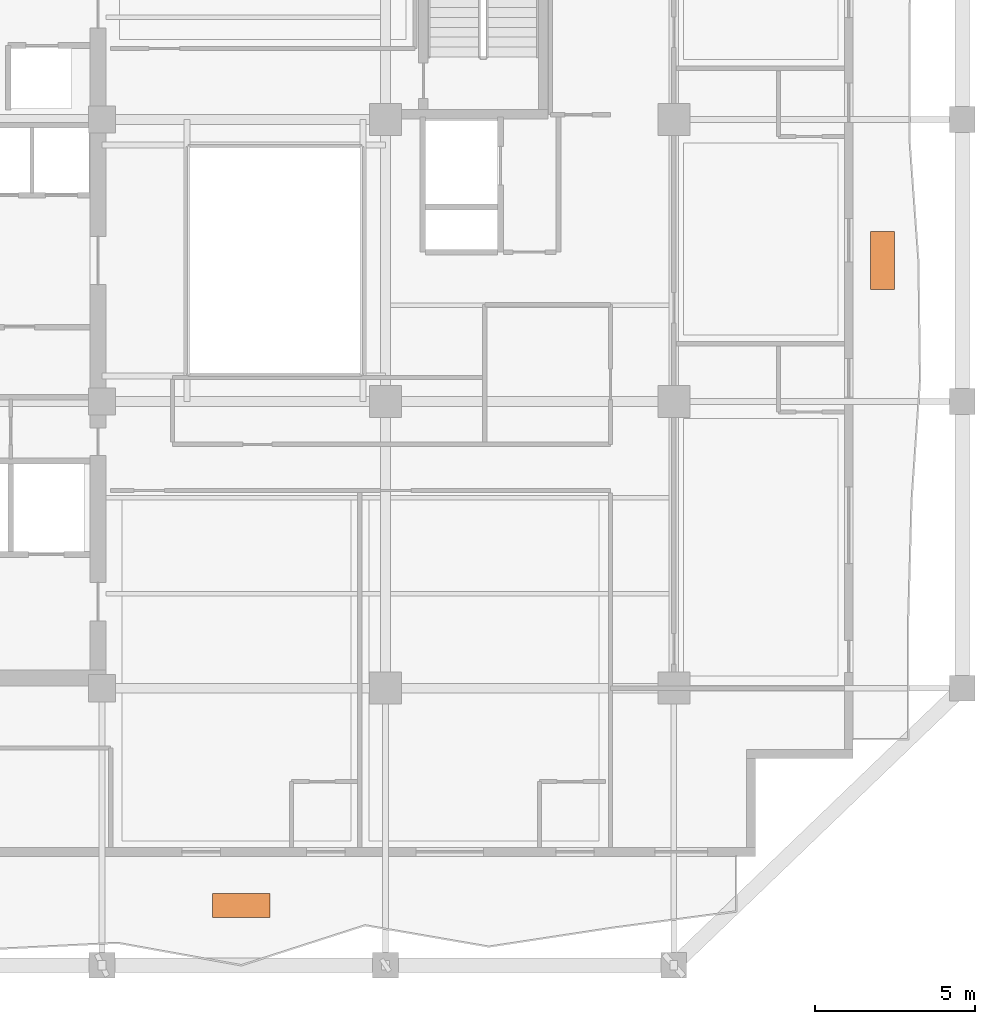
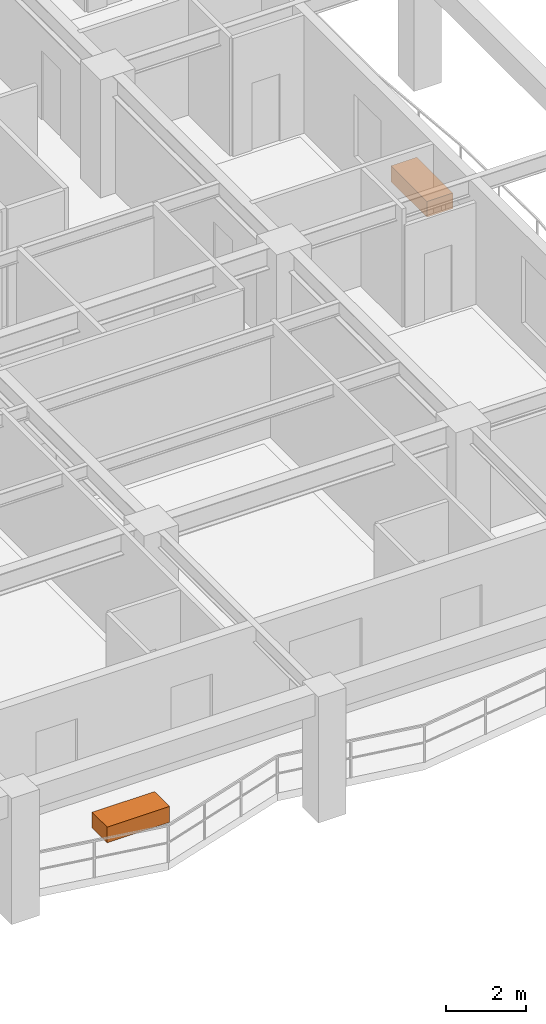
# One storey, part 11 of 11: 2 proxies.
"""IFC4 building model written with IfcOpenShell, lengths in metres."""

from ifc_helpers import new_model, si_unit, direction, frame, origin, origin_2d, place, context, subcontext, project, spatial, rectangle, extrude, material, type_object, element, save


model = new_model("IFC4")

# Units and contexts
model_context = context("Model", 3, precision=1e-05, world=origin(), true_north=direction((0.0, 1.0)))
body_context = subcontext(model_context, "Body", "Model", "MODEL_VIEW")
ifc_project = project(units=[si_unit("LENGTHUNIT", "METRE"), si_unit("AREAUNIT", "SQUARE_METRE"), si_unit("VOLUMEUNIT", "CUBIC_METRE"), si_unit("PLANEANGLEUNIT", "RADIAN"), si_unit("MASSUNIT", "GRAM", prefix="KILO")], contexts=[model_context])

# Site, building, storey
site_placement = place(None, origin())
site = spatial("IfcSite", under=ifc_project, at=site_placement, CompositionType="ELEMENT")
building_placement = place(site_placement, origin())
building = spatial("IfcBuilding", under=site, at=building_placement, Name="Kundavana Baori Tower", CompositionType="ELEMENT")
storey_placement = place(building_placement, frame((0.0, 0.0, 119.39990234375)))
storey = spatial("IfcBuildingStorey", under=building, at=storey_placement, Name="L28", CompositionType="ELEMENT", Elevation=119.39990234375)

# Proxies
ifc_material = material(Name="Red-Buff Dholpur Sandstone Cladding on Concrete C40/50", Category="masonry")
building_element_proxy_type = type_object("IfcBuildingElementProxyType", Name="PRX-PLANTER-1800", PredefinedType="USERDEFINED", material=ifc_material)
for number, where, z_axis, x_axis, name in (
    (1, (29.300048828125, 8.469970703125, 0.0), (0.0, 0.0, 1.0), (1.0, 0.0, 0.0), "L28 Dholpur Stone Structural Tree Planter S"),
    (2, (49.318115234375, 28.60009765625, 0.0), (0.0, 0.0, 1.0), (0.0, 1.0, 0.0), "L28 Dholpur Stone Structural Tree Planter E"),
):
    element("IfcBuildingElementProxy", number, at=place(storey_placement, frame(where, z_axis=z_axis, x_axis=x_axis)), inside=storey, type_object=building_element_proxy_type, Name=name, ObjectType="PLANTER", PredefinedType="USERDEFINED", context=body_context, shape_type="SweptSolid", body=[
        extrude(rectangle(XDim=1.800048828125, YDim=0.75, at=origin_2d()), origin(), (0.0, 0.0, 1.0), 0.47998046875),
    ])

save(model, "model.ifc")
